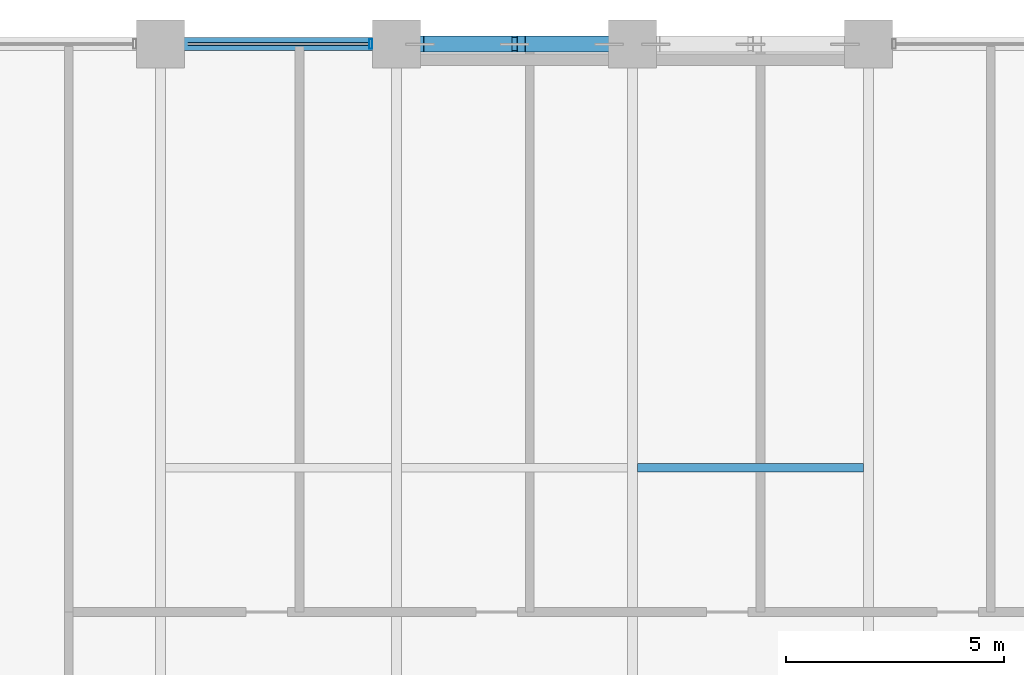
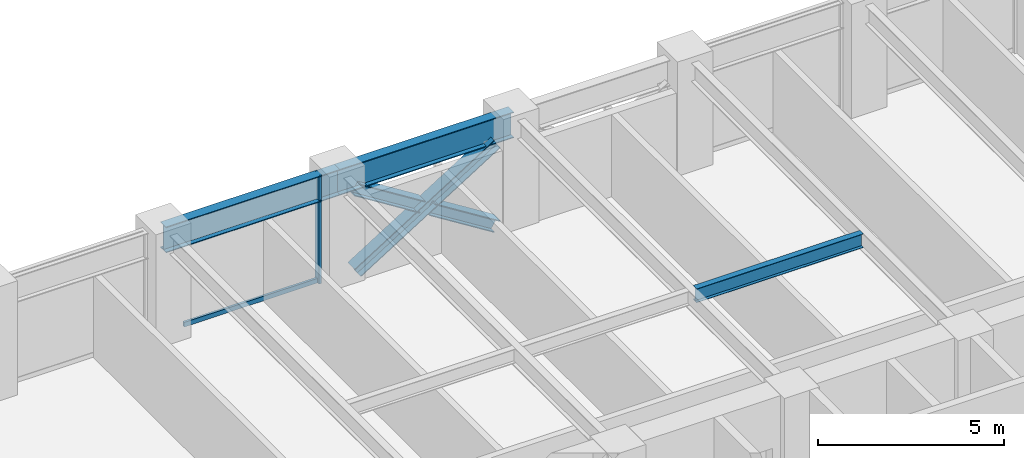
# One storey, part 13 of 25: 5 members, 3 beams, 1 element without a shape of its own.
"""IFC4 building model written with IfcOpenShell, lengths in metres."""

from ifc_helpers import new_model, si_unit, direction, frame, origin, origin_2d, place, context, subcontext, project, spatial, hollow_rectangle, i_section, extrude, material, layer, layer_set, material_profile, profile_set, type_object, element, aggregate, save


model = new_model("IFC4")

# Units and contexts
model_context = context("Model", 3, precision=1e-05, world=origin(), true_north=direction((0.0, 1.0)))
body_context = subcontext(model_context, "Body", "Model", "MODEL_VIEW")
ifc_project = project(units=[si_unit("LENGTHUNIT", "METRE"), si_unit("AREAUNIT", "SQUARE_METRE"), si_unit("VOLUMEUNIT", "CUBIC_METRE"), si_unit("PLANEANGLEUNIT", "RADIAN"), si_unit("MASSUNIT", "GRAM", prefix="KILO")], contexts=[model_context])

# Site, building, storey
site_placement = place(None, origin())
site = spatial("IfcSite", under=ifc_project, at=site_placement, CompositionType="ELEMENT")
building_placement = place(site_placement, origin())
building = spatial("IfcBuilding", under=site, at=building_placement, Name="Surkhivell Harbour Commons", CompositionType="ELEMENT")
storey_placement = place(building_placement, frame((0.0, 0.0, 124.5)))
storey = spatial("IfcBuildingStorey", under=building, at=storey_placement, Name="L32", CompositionType="ELEMENT", Elevation=124.5)

# Beams
ifc_material_1 = material(Name="Steel S355", Category="steel")
ifc_material_profile_1 = material_profile(ifc_material_1, i_section(OverallWidth=0.18994140625, OverallDepth=0.45703125, WebThickness=0.009033203125, FlangeThickness=0.014404296875, at=origin_2d()), Name="UB457x191x74")
ifc_profile_set_1 = profile_set([ifc_material_profile_1], Name="Steel S355")
beam_type_1 = type_object("IfcBeamType", Name="BM-JST-457B", PredefinedType="JOIST", material=ifc_profile_set_1)
beam_1_placement = place(storey_placement, frame((0.113037109375, 16.199951171875, 3.341552734375), z_axis=(1.0, 0.0, 0.0), x_axis=(0.0, 1.0, 0.0)))
element("IfcBeam", 1, at=beam_1_placement, inside=storey, type_object=beam_type_1, Name="L32 North Composite Joist (0.0)", PredefinedType="JOIST", context=body_context, shape_type="SweptSolid", body=[
    extrude(i_section(OverallWidth=0.18994140625, OverallDepth=0.45703125, WebThickness=0.009033203125, FlangeThickness=0.014404296875, at=origin_2d()), origin(), (0.0, 0.0, 1.0), 5.174072265625),
])
ifc_material_2 = material(Name="Steel S460", Category="steel")
ifc_material_profile_2 = material_profile(ifc_material_2, i_section(OverallWidth=0.2939453125, OverallDepth=0.85107421875, WebThickness=0.01611328125, FlangeThickness=0.02685546875, at=origin_2d()), Name="UB838x292x226")
ifc_profile_set_2 = profile_set([ifc_material_profile_2], Name="Steel S460")
beam_type_2 = type_object("IfcBeamType", Name="BM-SPN-838", PredefinedType="SPANDREL", material=ifc_profile_set_2)
beam_2_placement = place(storey_placement, frame((-10.800048828125, 25.89990234375, 3.14453125), z_axis=(1.0, 0.0, 0.0), x_axis=(0.0, 1.0, 0.0)))
element("IfcBeam", 2, at=beam_2_placement, inside=storey, type_object=beam_type_2, Name="L32 Tube Spandrel (-10.8,25.9)", PredefinedType="SPANDREL", context=body_context, shape_type="SweptSolid", body=[
    extrude(i_section(OverallWidth=0.2939453125, OverallDepth=0.85107421875, WebThickness=0.01611328125, FlangeThickness=0.02685546875, at=origin_2d()), origin(), (0.0, 0.0, 1.0), 5.400146484375),
])
beam_3_placement = place(storey_placement, frame((-5.39990234375, 25.89990234375, 3.14453125), z_axis=(1.0, 0.0, 0.0), x_axis=(0.0, 1.0, 0.0)))
element("IfcBeam", 3, at=beam_3_placement, inside=storey, type_object=beam_type_2, Name="L32 Tube Spandrel (-5.4,25.9)", PredefinedType="SPANDREL", context=body_context, shape_type="SweptSolid", body=[
    extrude(i_section(OverallWidth=0.2939453125, OverallDepth=0.85107421875, WebThickness=0.01611328125, FlangeThickness=0.02685546875, at=origin_2d()), origin(), (0.0, 0.0, 1.0), 5.39990234375),
])

# Curtain wall, members
ifc_material_3 = material(Name="Anodised pale-metal aluminium and insulated glazing", Category="aluminium")
ifc_layer = layer(ifc_material_3, 0.205078125)
ifc_layer_set = layer_set([ifc_layer], Name="Anodised pale-metal aluminium and insulated glazing")
curtain_wall_type = type_object("IfcCurtainWallType", Name="CW-SYS-Z2", PredefinedType="NOTDEFINED", material=ifc_layer_set)
curtain_wall_placement = place(storey_placement, origin())
curtain_wall = element("IfcCurtainWall", 4, at=curtain_wall_placement, inside=storey, type_object=curtain_wall_type, Name="L32 Curtain Wall CW-L32-E07S2", PredefinedType="NOTDEFINED")
ifc_material_4 = material(Name="Anodised pale-metal aluminium alloy 6063-T6", Category="aluminium")
ifc_material_profile_3 = material_profile(ifc_material_4, hollow_rectangle(XDim=0.074951171875, YDim=0.219970703125, WallThickness=0.00390625, at=origin_2d()), Name="ALU-MULL-75x220")
ifc_profile_set_3 = profile_set([ifc_material_profile_3], Name="Anodised pale-metal aluminium alloy 6063-T6")
member_type_1 = type_object("IfcMemberType", Name="CWM-220", PredefinedType="MULLION", material=ifc_profile_set_3)
member_1_placement = place(storey_placement, frame((-5.989501953125, 25.89990234375, 0.0), z_axis=(0.0, 0.0, 1.0), x_axis=(-1.0, 0.0, 0.0)))
member_1 = element("IfcMember", 5, at=member_1_placement, type_object=member_type_1, Name="CW-Z2 mullion 1", PredefinedType="MULLION", context=body_context, shape_type="SweptSolid", body=[
    extrude(hollow_rectangle(XDim=0.074951171875, YDim=0.219970703125, WallThickness=0.00390625, at=origin_2d()), origin(), (0.0, 0.0, 1.0), 3.570068359375),
])
ifc_material_profile_4 = material_profile(ifc_material_4, hollow_rectangle(XDim=0.074951171875, YDim=0.14990234375, WallThickness=0.00341796875, at=origin_2d()), Name="ALU-TRAN-75x150")
ifc_profile_set_4 = profile_set([ifc_material_profile_4], Name="Anodised pale-metal aluminium alloy 6063-T6")
member_type_2 = type_object("IfcMemberType", Name="CWT-150", PredefinedType="USERDEFINED", material=ifc_profile_set_4)
member_2_placement = place(storey_placement, frame((-6.027099609375, 25.89990234375, 0.074951171875), z_axis=(-1.0, 0.0, 0.0), x_axis=(0.0, -1.0, 0.0)))
member_2 = element("IfcMember", 6, at=member_2_placement, type_object=member_type_2, Name="CW-Z2 transom 1.1", ObjectType="TRANSOM", PredefinedType="USERDEFINED", context=body_context, shape_type="SweptSolid", body=[
    extrude(hollow_rectangle(XDim=0.074951171875, YDim=0.14990234375, WallThickness=0.00341796875, at=origin_2d()), origin(), (0.0, 0.0, 1.0), 4.14599609375),
])
aggregate(curtain_wall, [member_1, member_2])

# Members
ifc_material_profile_5 = material_profile(ifc_material_2, i_section(OverallWidth=0.375, OverallDepth=0.375, WebThickness=0.0166015625, FlangeThickness=0.027099609375, at=origin_2d()), Name="UC356x368x202")
ifc_profile_set_5 = profile_set([ifc_material_profile_5], Name="Steel S460")
member_type_3 = type_object("IfcMemberType", Name="MEM-BRC-UC356", PredefinedType="BRACE", material=ifc_profile_set_5)
member_3_placement = place(storey_placement, frame((-4.864990234375, 25.89990234375, 0.008056640625), z_axis=(0.847246015888, 0.0, 0.531200704594), x_axis=(0.0, 1.0, 0.0)))
element("IfcMember", 7, at=member_3_placement, inside=storey, type_object=member_type_3, Name="L32 Perimeter Mega-Brace MB- 01", PredefinedType="BRACE", context=body_context, shape_type="SweptSolid", body=[
    extrude(i_section(OverallWidth=0.375, OverallDepth=0.375, WebThickness=0.0166015625, FlangeThickness=0.027099609375, at=origin_2d()), origin(), (0.0, 0.0, 1.0), 5.11083984375),
])
member_4_placement = place(storey_placement, frame((-0.534912109375, 25.89990234375, 0.008056640625), z_axis=(-0.8472353132, 0.0, 0.531217774615), x_axis=(0.0, -1.0, 0.0)))
element("IfcMember", 8, at=member_4_placement, inside=storey, type_object=member_type_3, Name="L32 Perimeter Mega-Brace MB- 02", PredefinedType="BRACE", context=body_context, shape_type="SweptSolid", body=[
    extrude(i_section(OverallWidth=0.375, OverallDepth=0.375, WebThickness=0.0166015625, FlangeThickness=0.027099609375, at=origin_2d()), origin(), (0.0, 0.0, 1.0), 2.37548828125),
])
member_5_placement = place(storey_placement, frame((-2.8525390625, 25.89990234375, 1.461181640625), z_axis=(-0.84725256761, 0.0, 0.53119025469), x_axis=(0.0, -1.0, 0.0)))
element("IfcMember", 9, at=member_5_placement, inside=storey, type_object=member_type_3, Name="L32 Perimeter Mega-Brace MB- 03", PredefinedType="BRACE", context=body_context, shape_type="SweptSolid", body=[
    extrude(i_section(OverallWidth=0.375, OverallDepth=0.375, WebThickness=0.0166015625, FlangeThickness=0.027099609375, at=origin_2d()), origin(), (0.0, 0.0, 1.0), 2.375244140625),
])

save(model, "model.ifc")
